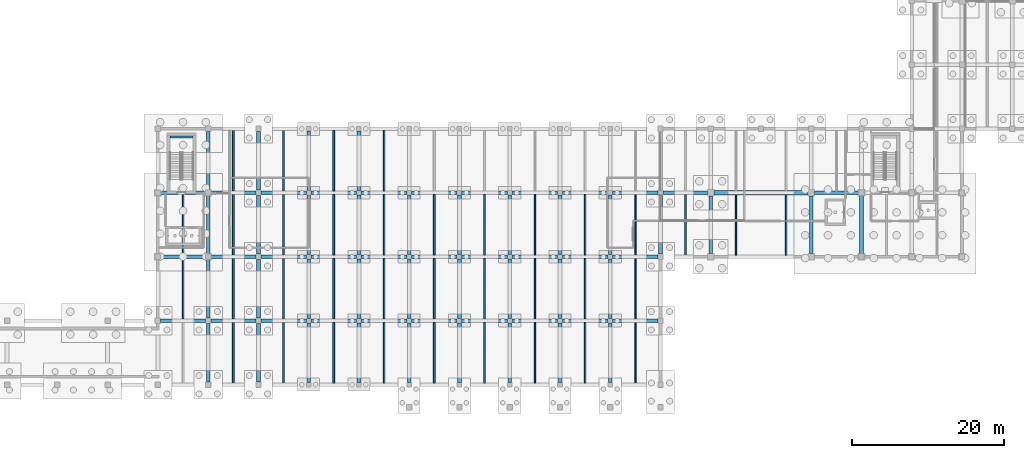
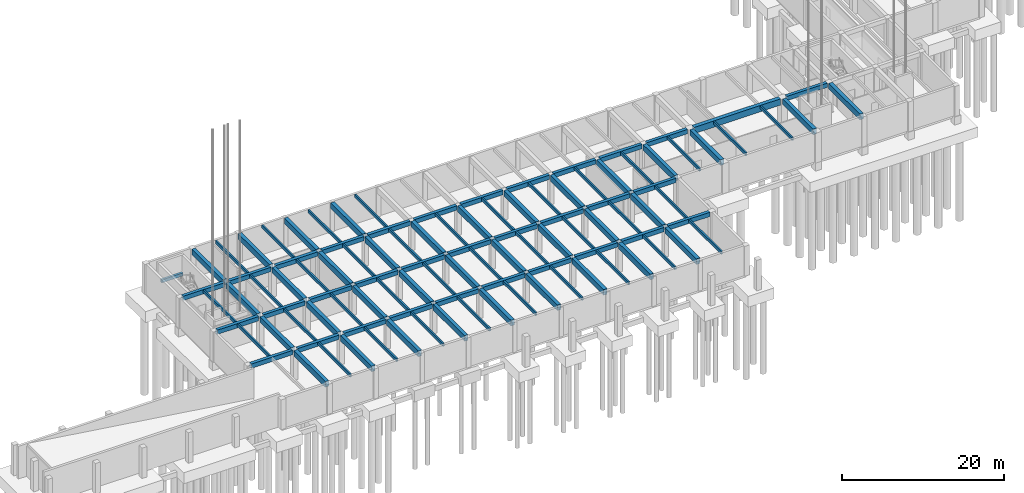
# One storey, part 6 of 44: 105 beams.
"""IFC4 building model written with IfcOpenShell, lengths in metres."""

from ifc_helpers import new_model, si_unit, direction, frame, origin, origin_2d, place, context, subcontext, project, spatial, rectangle, extrude, material, material_profile, profile_set, type_object, element, save


model = new_model("IFC4")

# Units and contexts
model_context = context("Model", 3, precision=1e-05, world=origin(), true_north=direction((0.0, 1.0)))
body_context = subcontext(model_context, "Body", "Model", "MODEL_VIEW")
ifc_project = project(units=[si_unit("LENGTHUNIT", "METRE"), si_unit("AREAUNIT", "SQUARE_METRE"), si_unit("VOLUMEUNIT", "CUBIC_METRE"), si_unit("PLANEANGLEUNIT", "RADIAN"), si_unit("MASSUNIT", "GRAM", prefix="KILO")], contexts=[model_context])

# Site, building, storey
site_placement = place(None, origin())
site = spatial("IfcSite", under=ifc_project, at=site_placement, CompositionType="ELEMENT")
building_placement = place(site_placement, origin())
building = spatial("IfcBuilding", under=site, at=building_placement, Name="Kolvaren Faculty of Natural Sciences", CompositionType="ELEMENT")
storey_placement = place(building_placement, frame((0.0, 0.0, -4.5)))
storey = spatial("IfcBuildingStorey", under=building, at=storey_placement, Name="B01", CompositionType="ELEMENT", Elevation=-4.5)

# Beams
ifc_material_1 = material(Name="Concrete C40/50", Category="concrete")
ifc_material_profile_1 = material_profile(ifc_material_1, rectangle(XDim=0.300048828125, YDim=0.449951171875, at=origin_2d()), Name="RC LNT 300x450")
ifc_profile_set_1 = profile_set([ifc_material_profile_1], Name="Concrete C40/50")
beam_type_1 = type_object("IfcBeamType", Name="CoreCouplingLintel_300x450", PredefinedType="LINTEL", material=ifc_profile_set_1)
beam_1_placement = place(storey_placement, frame((34.77490234375, 41.1298828125, 1.824951171875), z_axis=(1.0, 0.0, 0.0), x_axis=(0.0, 1.0, 0.0)))
element("IfcBeam", 1, at=beam_1_placement, inside=storey, type_object=beam_type_1, Name="B01 ST-4 half-landing support lintel", PredefinedType="LINTEL", context=body_context, shape_type="SweptSolid", body=[
    extrude(rectangle(XDim=0.300048828125, YDim=0.449951171875, at=origin_2d()), origin(), (0.0, 0.0, 1.0), 3.050048828125),
])
ifc_material_2 = material(Name="Concrete C35/45", Category="concrete")
ifc_material_profile_2 = material_profile(ifc_material_2, rectangle(XDim=0.449951171875, YDim=0.64990234375, at=origin_2d()), Name="RC BM 450x650")
ifc_profile_set_2 = profile_set([ifc_material_profile_2], Name="Concrete C35/45")
beam_type_2 = type_object("IfcBeamType", Name="GridBeam_450x650", PredefinedType="BEAM", material=ifc_profile_set_2)
beam_2_placement = place(storey_placement, frame((33.550048828125, 17.0, 4.175048828125), z_axis=(1.0, 0.0, 0.0), x_axis=(0.0, 1.0, 0.0)))
element("IfcBeam", 2, at=beam_2_placement, inside=storey, type_object=beam_type_2, Name="B01 beam BM-65 on grid C", PredefinedType="BEAM", context=body_context, shape_type="SweptSolid", body=[
    extrude(rectangle(XDim=0.449951171875, YDim=0.64990234375, at=origin_2d()), origin(), (0.0, 0.0, 1.0), 5.89990234375),
])
beam_3_placement = place(storey_placement, frame((40.14990234375, 17.0, 4.175048828125), z_axis=(1.0, 0.0, 0.0), x_axis=(0.0, 1.0, 0.0)))
element("IfcBeam", 3, at=beam_3_placement, inside=storey, type_object=beam_type_2, Name="B01 beam BM-65 on grid C", PredefinedType="BEAM", context=body_context, shape_type="SweptSolid", body=[
    extrude(rectangle(XDim=0.449951171875, YDim=0.64990234375, at=origin_2d()), origin(), (0.0, 0.0, 1.0), 5.900146484375),
])
beam_4_placement = place(storey_placement, frame((46.75, 17.0, 4.175048828125), z_axis=(1.0, 0.0, 0.0), x_axis=(0.0, 1.0, 0.0)))
element("IfcBeam", 4, at=beam_4_placement, inside=storey, type_object=beam_type_2, Name="B01 beam BM-65 on grid C", PredefinedType="BEAM", context=body_context, shape_type="SweptSolid", body=[
    extrude(rectangle(XDim=0.449951171875, YDim=0.64990234375, at=origin_2d()), origin(), (0.0, 0.0, 1.0), 5.949951171875),
])
for number, where, z_axis, x_axis, name in (
    (5, (53.300048828125, 17.0, 4.175048828125), (1.0, 0.0, 0.0), (0.0, 1.0, 0.0), "B01 beam BM-65 on grid C"),
    (6, (59.89990234375, 17.0, 4.175048828125), (1.0, 0.0, 0.0), (0.0, 1.0, 0.0), "B01 beam BM-65 on grid C"),
    (7, (66.5, 17.0, 4.175048828125), (1.0, 0.0, 0.0), (0.0, 1.0, 0.0), "B01 beam BM-65 on grid C"),
    (8, (73.10009765625, 17.0, 4.175048828125), (1.0, 0.0, 0.0), (0.0, 1.0, 0.0), "B01 beam BM-65 on grid C"),
    (9, (79.699951171875, 17.0, 4.175048828125), (1.0, 0.0, 0.0), (0.0, 1.0, 0.0), "B01 beam BM-65 on grid C"),
    (10, (86.300048828125, 17.0, 4.175048828125), (1.0, 0.0, 0.0), (0.0, 1.0, 0.0), "B01 beam BM-65 on grid C"),
):
    element("IfcBeam", number, at=place(storey_placement, frame(where, z_axis=z_axis, x_axis=x_axis)), inside=storey, type_object=beam_type_2, Name=name, PredefinedType="BEAM", context=body_context, shape_type="SweptSolid", body=[
        extrude(rectangle(XDim=0.449951171875, YDim=0.64990234375, at=origin_2d()), origin(), (0.0, 0.0, 1.0), 6.0),
    ])
beam_5_placement = place(storey_placement, frame((92.89990234375, 17.0, 4.175048828125), z_axis=(1.0, 0.0, 0.0), x_axis=(0.0, 1.0, 0.0)))
element("IfcBeam", 11, at=beam_5_placement, inside=storey, type_object=beam_type_2, Name="B01 beam BM-65 on grid C", PredefinedType="BEAM", context=body_context, shape_type="SweptSolid", body=[
    extrude(rectangle(XDim=0.449951171875, YDim=0.64990234375, at=origin_2d()), origin(), (0.0, 0.0, 1.0), 5.9501953125),
])
beam_6_placement = place(storey_placement, frame((33.550048828125, 25.39990234375, 4.175048828125), z_axis=(1.0, 0.0, 0.0), x_axis=(0.0, 1.0, 0.0)))
element("IfcBeam", 12, at=beam_6_placement, inside=storey, type_object=beam_type_2, Name="B01 beam BM-65 on grid D", PredefinedType="BEAM", context=body_context, shape_type="SweptSolid", body=[
    extrude(rectangle(XDim=0.449951171875, YDim=0.64990234375, at=origin_2d()), origin(), (0.0, 0.0, 1.0), 5.89990234375),
])
beam_7_placement = place(storey_placement, frame((40.14990234375, 25.39990234375, 4.175048828125), z_axis=(1.0, 0.0, 0.0), x_axis=(0.0, 1.0, 0.0)))
element("IfcBeam", 13, at=beam_7_placement, inside=storey, type_object=beam_type_2, Name="B01 beam BM-65 on grid D", PredefinedType="BEAM", context=body_context, shape_type="SweptSolid", body=[
    extrude(rectangle(XDim=0.449951171875, YDim=0.64990234375, at=origin_2d()), origin(), (0.0, 0.0, 1.0), 5.900146484375),
])
beam_8_placement = place(storey_placement, frame((46.75, 25.39990234375, 4.175048828125), z_axis=(1.0, 0.0, 0.0), x_axis=(0.0, 1.0, 0.0)))
element("IfcBeam", 14, at=beam_8_placement, inside=storey, type_object=beam_type_2, Name="B01 beam BM-65 on grid D", PredefinedType="BEAM", context=body_context, shape_type="SweptSolid", body=[
    extrude(rectangle(XDim=0.449951171875, YDim=0.64990234375, at=origin_2d()), origin(), (0.0, 0.0, 1.0), 5.949951171875),
])
for number, where, z_axis, x_axis, name in (
    (15, (53.300048828125, 25.39990234375, 4.175048828125), (1.0, 0.0, 0.0), (0.0, 1.0, 0.0), "B01 beam BM-65 on grid D"),
    (16, (59.89990234375, 25.39990234375, 4.175048828125), (1.0, 0.0, 0.0), (0.0, 1.0, 0.0), "B01 beam BM-65 on grid D"),
    (17, (66.5, 25.39990234375, 4.175048828125), (1.0, 0.0, 0.0), (0.0, 1.0, 0.0), "B01 beam BM-65 on grid D"),
    (18, (73.10009765625, 25.39990234375, 4.175048828125), (1.0, 0.0, 0.0), (0.0, 1.0, 0.0), "B01 beam BM-65 on grid D"),
    (19, (79.699951171875, 25.39990234375, 4.175048828125), (1.0, 0.0, 0.0), (0.0, 1.0, 0.0), "B01 beam BM-65 on grid D"),
    (20, (86.300048828125, 25.39990234375, 4.175048828125), (1.0, 0.0, 0.0), (0.0, 1.0, 0.0), "B01 beam BM-65 on grid D"),
):
    element("IfcBeam", number, at=place(storey_placement, frame(where, z_axis=z_axis, x_axis=x_axis)), inside=storey, type_object=beam_type_2, Name=name, PredefinedType="BEAM", context=body_context, shape_type="SweptSolid", body=[
        extrude(rectangle(XDim=0.449951171875, YDim=0.64990234375, at=origin_2d()), origin(), (0.0, 0.0, 1.0), 6.0),
    ])
beam_9_placement = place(storey_placement, frame((92.89990234375, 25.39990234375, 4.175048828125), z_axis=(1.0, 0.0, 0.0), x_axis=(0.0, 1.0, 0.0)))
element("IfcBeam", 21, at=beam_9_placement, inside=storey, type_object=beam_type_2, Name="B01 beam BM-65 on grid D", PredefinedType="BEAM", context=body_context, shape_type="SweptSolid", body=[
    extrude(rectangle(XDim=0.449951171875, YDim=0.64990234375, at=origin_2d()), origin(), (0.0, 0.0, 1.0), 5.9501953125),
])
beam_10_placement = place(storey_placement, frame((33.550048828125, 33.800048828125, 4.175048828125), z_axis=(1.0, 0.0, 0.0), x_axis=(0.0, 1.0, 0.0)))
element("IfcBeam", 22, at=beam_10_placement, inside=storey, type_object=beam_type_2, Name="B01 beam BM-65 on grid E", PredefinedType="BEAM", context=body_context, shape_type="SweptSolid", body=[
    extrude(rectangle(XDim=0.449951171875, YDim=0.64990234375, at=origin_2d()), origin(), (0.0, 0.0, 1.0), 5.89990234375),
])
beam_11_placement = place(storey_placement, frame((40.14990234375, 33.800048828125, 4.175048828125), z_axis=(1.0, 0.0, 0.0), x_axis=(0.0, 1.0, 0.0)))
element("IfcBeam", 23, at=beam_11_placement, inside=storey, type_object=beam_type_2, Name="B01 beam BM-65 on grid E", PredefinedType="BEAM", context=body_context, shape_type="SweptSolid", body=[
    extrude(rectangle(XDim=0.449951171875, YDim=0.64990234375, at=origin_2d()), origin(), (0.0, 0.0, 1.0), 5.900146484375),
])
beam_12_placement = place(storey_placement, frame((46.75, 33.800048828125, 4.175048828125), z_axis=(1.0, 0.0, 0.0), x_axis=(0.0, 1.0, 0.0)))
element("IfcBeam", 24, at=beam_12_placement, inside=storey, type_object=beam_type_2, Name="B01 beam BM-65 on grid E", PredefinedType="BEAM", context=body_context, shape_type="SweptSolid", body=[
    extrude(rectangle(XDim=0.449951171875, YDim=0.64990234375, at=origin_2d()), origin(), (0.0, 0.0, 1.0), 5.949951171875),
])
for number, where, z_axis, x_axis, name in (
    (25, (53.300048828125, 33.800048828125, 4.175048828125), (1.0, 0.0, 0.0), (0.0, 1.0, 0.0), "B01 beam BM-65 on grid E"),
    (26, (59.89990234375, 33.800048828125, 4.175048828125), (1.0, 0.0, 0.0), (0.0, 1.0, 0.0), "B01 beam BM-65 on grid E"),
    (27, (66.5, 33.800048828125, 4.175048828125), (1.0, 0.0, 0.0), (0.0, 1.0, 0.0), "B01 beam BM-65 on grid E"),
    (28, (73.10009765625, 33.800048828125, 4.175048828125), (1.0, 0.0, 0.0), (0.0, 1.0, 0.0), "B01 beam BM-65 on grid E"),
    (29, (79.699951171875, 33.800048828125, 4.175048828125), (1.0, 0.0, 0.0), (0.0, 1.0, 0.0), "B01 beam BM-65 on grid E"),
    (30, (86.300048828125, 33.800048828125, 4.175048828125), (1.0, 0.0, 0.0), (0.0, 1.0, 0.0), "B01 beam BM-65 on grid E"),
):
    element("IfcBeam", number, at=place(storey_placement, frame(where, z_axis=z_axis, x_axis=x_axis)), inside=storey, type_object=beam_type_2, Name=name, PredefinedType="BEAM", context=body_context, shape_type="SweptSolid", body=[
        extrude(rectangle(XDim=0.449951171875, YDim=0.64990234375, at=origin_2d()), origin(), (0.0, 0.0, 1.0), 6.0),
    ])
beam_13_placement = place(storey_placement, frame((92.89990234375, 33.800048828125, 4.175048828125), z_axis=(1.0, 0.0, 0.0), x_axis=(0.0, 1.0, 0.0)))
element("IfcBeam", 31, at=beam_13_placement, inside=storey, type_object=beam_type_2, Name="B01 beam BM-65 on grid E", PredefinedType="BEAM", context=body_context, shape_type="SweptSolid", body=[
    extrude(rectangle(XDim=0.449951171875, YDim=0.64990234375, at=origin_2d()), origin(), (0.0, 0.0, 1.0), 5.9501953125),
])
for number, where, z_axis, x_axis, name in (
    (32, (99.550048828125, 33.800048828125, 4.175048828125), (1.0, 0.0, 0.0), (0.0, 1.0, 0.0), "B01 beam BM-65 on grid E"),
    (33, (119.449951171875, 33.800048828125, 4.175048828125), (1.0, 0.0, 0.0), (0.0, 1.0, 0.0), "B01 beam BM-65 on grid E"),
):
    element("IfcBeam", number, at=place(storey_placement, frame(where, z_axis=z_axis, x_axis=x_axis)), inside=storey, type_object=beam_type_2, Name=name, PredefinedType="BEAM", context=body_context, shape_type="SweptSolid", body=[
        extrude(rectangle(XDim=0.449951171875, YDim=0.64990234375, at=origin_2d()), origin(), (0.0, 0.0, 1.0), 5.800048828125),
    ])
ifc_material_profile_3 = material_profile(ifc_material_1, rectangle(XDim=0.550048828125, YDim=0.949951171875, at=origin_2d()), Name="RC BM 550x950")
ifc_profile_set_3 = profile_set([ifc_material_profile_3], Name="Concrete C40/50")
beam_type_3 = type_object("IfcBeamType", Name="HallGirder_550x950", PredefinedType="BEAM", material=ifc_profile_set_3)
beam_14_placement = place(storey_placement, frame((106.25, 33.800048828125, 4.02490234375), z_axis=(1.0, 0.0, 0.0), x_axis=(0.0, 1.0, 0.0)))
element("IfcBeam", 34, at=beam_14_placement, inside=storey, type_object=beam_type_3, Name="B01 beam BG-95 on grid E", PredefinedType="BEAM", context=body_context, shape_type="SweptSolid", body=[
    extrude(rectangle(XDim=0.550048828125, YDim=0.949951171875, at=origin_2d()), origin(), (0.0, 0.0, 1.0), 12.300048828125),
])
ifc_material_profile_4 = material_profile(ifc_material_2, rectangle(XDim=0.219970703125, YDim=0.449951171875, at=origin_2d()), Name="RC JST 220x450")
ifc_profile_set_4 = profile_set([ifc_material_profile_4], Name="Concrete C35/45")
beam_type_4 = type_object("IfcBeamType", Name="OfficeRibJoist_220x450", PredefinedType="JOIST", material=ifc_profile_set_4)
for number, where, z_axis, x_axis, name in (
    (35, (36.5, 17.22509765625, 4.27490234375), (0.0, 1.0, 0.0), (-1.0, 0.0, 0.0), "B01 ribbed laboratory slab joist JS-45"),
    (36, (36.5, 25.625, 4.27490234375), (0.0, 1.0, 0.0), (-1.0, 0.0, 0.0), "B01 ribbed laboratory slab joist JS-45"),
):
    element("IfcBeam", number, at=place(storey_placement, frame(where, z_axis=z_axis, x_axis=x_axis)), inside=storey, type_object=beam_type_4, Name=name, PredefinedType="JOIST", context=body_context, shape_type="SweptSolid", body=[
        extrude(rectangle(XDim=0.219970703125, YDim=0.449951171875, at=origin_2d()), origin(), (0.0, 0.0, 1.0), 7.949951171875),
    ])
beam_15_placement = place(storey_placement, frame((43.10009765625, 8.77490234375, 4.27490234375), z_axis=(0.0, 1.0, 0.0), x_axis=(-1.0, 0.0, 0.0)))
element("IfcBeam", 37, at=beam_15_placement, inside=storey, type_object=beam_type_4, Name="B01 ribbed laboratory slab joist JS-45", PredefinedType="JOIST", context=body_context, shape_type="SweptSolid", body=[
    extrude(rectangle(XDim=0.219970703125, YDim=0.449951171875, at=origin_2d()), origin(), (0.0, 0.0, 1.0), 8.0),
])
for number, where, z_axis, x_axis, name in (
    (38, (43.10009765625, 17.22509765625, 4.27490234375), (0.0, 1.0, 0.0), (-1.0, 0.0, 0.0), "B01 ribbed laboratory slab joist JS-45"),
    (39, (43.10009765625, 25.625, 4.27490234375), (0.0, 1.0, 0.0), (-1.0, 0.0, 0.0), "B01 ribbed laboratory slab joist JS-45"),
):
    element("IfcBeam", number, at=place(storey_placement, frame(where, z_axis=z_axis, x_axis=x_axis)), inside=storey, type_object=beam_type_4, Name=name, PredefinedType="JOIST", context=body_context, shape_type="SweptSolid", body=[
        extrude(rectangle(XDim=0.219970703125, YDim=0.449951171875, at=origin_2d()), origin(), (0.0, 0.0, 1.0), 7.949951171875),
    ])
for number, where, z_axis, x_axis, name in (
    (40, (43.10009765625, 34.02490234375, 4.27490234375), (0.0, 1.0, 0.0), (-1.0, 0.0, 0.0), "B01 ribbed laboratory slab joist JS-45"),
    (41, (49.699951171875, 8.77490234375, 4.27490234375), (0.0, 1.0, 0.0), (-1.0, 0.0, 0.0), "B01 ribbed laboratory slab joist JS-45"),
):
    element("IfcBeam", number, at=place(storey_placement, frame(where, z_axis=z_axis, x_axis=x_axis)), inside=storey, type_object=beam_type_4, Name=name, PredefinedType="JOIST", context=body_context, shape_type="SweptSolid", body=[
        extrude(rectangle(XDim=0.219970703125, YDim=0.449951171875, at=origin_2d()), origin(), (0.0, 0.0, 1.0), 8.0),
    ])
for number, where, z_axis, x_axis, name in (
    (42, (49.699951171875, 17.22509765625, 4.27490234375), (0.0, 1.0, 0.0), (-1.0, 0.0, 0.0), "B01 ribbed laboratory slab joist JS-45"),
    (43, (49.699951171875, 25.625, 4.27490234375), (0.0, 1.0, 0.0), (-1.0, 0.0, 0.0), "B01 ribbed laboratory slab joist JS-45"),
):
    element("IfcBeam", number, at=place(storey_placement, frame(where, z_axis=z_axis, x_axis=x_axis)), inside=storey, type_object=beam_type_4, Name=name, PredefinedType="JOIST", context=body_context, shape_type="SweptSolid", body=[
        extrude(rectangle(XDim=0.219970703125, YDim=0.449951171875, at=origin_2d()), origin(), (0.0, 0.0, 1.0), 7.949951171875),
    ])
for number, where, z_axis, x_axis, name in (
    (44, (49.699951171875, 34.02490234375, 4.27490234375), (0.0, 1.0, 0.0), (-1.0, 0.0, 0.0), "B01 ribbed laboratory slab joist JS-45"),
    (45, (56.300048828125, 8.77490234375, 4.27490234375), (0.0, 1.0, 0.0), (-1.0, 0.0, 0.0), "B01 ribbed laboratory slab joist JS-45"),
):
    element("IfcBeam", number, at=place(storey_placement, frame(where, z_axis=z_axis, x_axis=x_axis)), inside=storey, type_object=beam_type_4, Name=name, PredefinedType="JOIST", context=body_context, shape_type="SweptSolid", body=[
        extrude(rectangle(XDim=0.219970703125, YDim=0.449951171875, at=origin_2d()), origin(), (0.0, 0.0, 1.0), 8.0),
    ])
for number, where, z_axis, x_axis, name in (
    (46, (56.300048828125, 17.22509765625, 4.27490234375), (0.0, 1.0, 0.0), (-1.0, 0.0, 0.0), "B01 ribbed laboratory slab joist JS-45"),
    (47, (56.300048828125, 25.625, 4.27490234375), (0.0, 1.0, 0.0), (-1.0, 0.0, 0.0), "B01 ribbed laboratory slab joist JS-45"),
):
    element("IfcBeam", number, at=place(storey_placement, frame(where, z_axis=z_axis, x_axis=x_axis)), inside=storey, type_object=beam_type_4, Name=name, PredefinedType="JOIST", context=body_context, shape_type="SweptSolid", body=[
        extrude(rectangle(XDim=0.219970703125, YDim=0.449951171875, at=origin_2d()), origin(), (0.0, 0.0, 1.0), 7.949951171875),
    ])
for number, where, z_axis, x_axis, name in (
    (48, (56.300048828125, 34.02490234375, 4.27490234375), (0.0, 1.0, 0.0), (-1.0, 0.0, 0.0), "B01 ribbed laboratory slab joist JS-45"),
    (49, (62.89990234375, 8.77490234375, 4.27490234375), (0.0, 1.0, 0.0), (-1.0, 0.0, 0.0), "B01 ribbed laboratory slab joist JS-45"),
):
    element("IfcBeam", number, at=place(storey_placement, frame(where, z_axis=z_axis, x_axis=x_axis)), inside=storey, type_object=beam_type_4, Name=name, PredefinedType="JOIST", context=body_context, shape_type="SweptSolid", body=[
        extrude(rectangle(XDim=0.219970703125, YDim=0.449951171875, at=origin_2d()), origin(), (0.0, 0.0, 1.0), 8.0),
    ])
for number, where, z_axis, x_axis, name in (
    (50, (62.89990234375, 17.22509765625, 4.27490234375), (0.0, 1.0, 0.0), (-1.0, 0.0, 0.0), "B01 ribbed laboratory slab joist JS-45"),
    (51, (62.89990234375, 25.625, 4.27490234375), (0.0, 1.0, 0.0), (-1.0, 0.0, 0.0), "B01 ribbed laboratory slab joist JS-45"),
):
    element("IfcBeam", number, at=place(storey_placement, frame(where, z_axis=z_axis, x_axis=x_axis)), inside=storey, type_object=beam_type_4, Name=name, PredefinedType="JOIST", context=body_context, shape_type="SweptSolid", body=[
        extrude(rectangle(XDim=0.219970703125, YDim=0.449951171875, at=origin_2d()), origin(), (0.0, 0.0, 1.0), 7.949951171875),
    ])
for number, where, z_axis, x_axis, name in (
    (52, (62.89990234375, 34.02490234375, 4.27490234375), (0.0, 1.0, 0.0), (-1.0, 0.0, 0.0), "B01 ribbed laboratory slab joist JS-45"),
    (53, (69.5, 8.77490234375, 4.27490234375), (0.0, 1.0, 0.0), (-1.0, 0.0, 0.0), "B01 ribbed laboratory slab joist JS-45"),
):
    element("IfcBeam", number, at=place(storey_placement, frame(where, z_axis=z_axis, x_axis=x_axis)), inside=storey, type_object=beam_type_4, Name=name, PredefinedType="JOIST", context=body_context, shape_type="SweptSolid", body=[
        extrude(rectangle(XDim=0.219970703125, YDim=0.449951171875, at=origin_2d()), origin(), (0.0, 0.0, 1.0), 8.0),
    ])
for number, where, z_axis, x_axis, name in (
    (54, (69.5, 17.22509765625, 4.27490234375), (0.0, 1.0, 0.0), (-1.0, 0.0, 0.0), "B01 ribbed laboratory slab joist JS-45"),
    (55, (69.5, 25.625, 4.27490234375), (0.0, 1.0, 0.0), (-1.0, 0.0, 0.0), "B01 ribbed laboratory slab joist JS-45"),
):
    element("IfcBeam", number, at=place(storey_placement, frame(where, z_axis=z_axis, x_axis=x_axis)), inside=storey, type_object=beam_type_4, Name=name, PredefinedType="JOIST", context=body_context, shape_type="SweptSolid", body=[
        extrude(rectangle(XDim=0.219970703125, YDim=0.449951171875, at=origin_2d()), origin(), (0.0, 0.0, 1.0), 7.949951171875),
    ])
beam_16_placement = place(storey_placement, frame((76.10009765625, 8.77490234375, 4.27490234375), z_axis=(0.0, 1.0, 0.0), x_axis=(-1.0, 0.0, 0.0)))
element("IfcBeam", 56, at=beam_16_placement, inside=storey, type_object=beam_type_4, Name="B01 ribbed laboratory slab joist JS-45", PredefinedType="JOIST", context=body_context, shape_type="SweptSolid", body=[
    extrude(rectangle(XDim=0.219970703125, YDim=0.449951171875, at=origin_2d()), origin(), (0.0, 0.0, 1.0), 8.0),
])
for number, where, z_axis, x_axis, name in (
    (57, (76.10009765625, 17.22509765625, 4.27490234375), (0.0, 1.0, 0.0), (-1.0, 0.0, 0.0), "B01 ribbed laboratory slab joist JS-45"),
    (58, (76.10009765625, 25.625, 4.27490234375), (0.0, 1.0, 0.0), (-1.0, 0.0, 0.0), "B01 ribbed laboratory slab joist JS-45"),
):
    element("IfcBeam", number, at=place(storey_placement, frame(where, z_axis=z_axis, x_axis=x_axis)), inside=storey, type_object=beam_type_4, Name=name, PredefinedType="JOIST", context=body_context, shape_type="SweptSolid", body=[
        extrude(rectangle(XDim=0.219970703125, YDim=0.449951171875, at=origin_2d()), origin(), (0.0, 0.0, 1.0), 7.949951171875),
    ])
beam_17_placement = place(storey_placement, frame((82.699951171875, 8.77490234375, 4.27490234375), z_axis=(0.0, 1.0, 0.0), x_axis=(-1.0, 0.0, 0.0)))
element("IfcBeam", 59, at=beam_17_placement, inside=storey, type_object=beam_type_4, Name="B01 ribbed laboratory slab joist JS-45", PredefinedType="JOIST", context=body_context, shape_type="SweptSolid", body=[
    extrude(rectangle(XDim=0.219970703125, YDim=0.449951171875, at=origin_2d()), origin(), (0.0, 0.0, 1.0), 8.0),
])
for number, where, z_axis, x_axis, name in (
    (60, (82.699951171875, 17.22509765625, 4.27490234375), (0.0, 1.0, 0.0), (-1.0, 0.0, 0.0), "B01 ribbed laboratory slab joist JS-45"),
    (61, (82.699951171875, 25.625, 4.27490234375), (0.0, 1.0, 0.0), (-1.0, 0.0, 0.0), "B01 ribbed laboratory slab joist JS-45"),
):
    element("IfcBeam", number, at=place(storey_placement, frame(where, z_axis=z_axis, x_axis=x_axis)), inside=storey, type_object=beam_type_4, Name=name, PredefinedType="JOIST", context=body_context, shape_type="SweptSolid", body=[
        extrude(rectangle(XDim=0.219970703125, YDim=0.449951171875, at=origin_2d()), origin(), (0.0, 0.0, 1.0), 7.949951171875),
    ])
beam_18_placement = place(storey_placement, frame((89.300048828125, 8.77490234375, 4.27490234375), z_axis=(0.0, 1.0, 0.0), x_axis=(-1.0, 0.0, 0.0)))
element("IfcBeam", 62, at=beam_18_placement, inside=storey, type_object=beam_type_4, Name="B01 ribbed laboratory slab joist JS-45", PredefinedType="JOIST", context=body_context, shape_type="SweptSolid", body=[
    extrude(rectangle(XDim=0.219970703125, YDim=0.449951171875, at=origin_2d()), origin(), (0.0, 0.0, 1.0), 8.0),
])
for number, where, z_axis, x_axis, name in (
    (63, (89.300048828125, 17.22509765625, 4.27490234375), (0.0, 1.0, 0.0), (-1.0, 0.0, 0.0), "B01 ribbed laboratory slab joist JS-45"),
    (64, (89.300048828125, 25.625, 4.27490234375), (0.0, 1.0, 0.0), (-1.0, 0.0, 0.0), "B01 ribbed laboratory slab joist JS-45"),
):
    element("IfcBeam", number, at=place(storey_placement, frame(where, z_axis=z_axis, x_axis=x_axis)), inside=storey, type_object=beam_type_4, Name=name, PredefinedType="JOIST", context=body_context, shape_type="SweptSolid", body=[
        extrude(rectangle(XDim=0.219970703125, YDim=0.449951171875, at=origin_2d()), origin(), (0.0, 0.0, 1.0), 7.949951171875),
    ])
beam_19_placement = place(storey_placement, frame((95.89990234375, 8.77490234375, 4.27490234375), z_axis=(0.0, 1.0, 0.0), x_axis=(-1.0, 0.0, 0.0)))
element("IfcBeam", 65, at=beam_19_placement, inside=storey, type_object=beam_type_4, Name="B01 ribbed laboratory slab joist JS-45", PredefinedType="JOIST", context=body_context, shape_type="SweptSolid", body=[
    extrude(rectangle(XDim=0.219970703125, YDim=0.449951171875, at=origin_2d()), origin(), (0.0, 0.0, 1.0), 8.0),
])
for number, where, z_axis, x_axis, name in (
    (66, (95.89990234375, 17.22509765625, 4.27490234375), (0.0, 1.0, 0.0), (-1.0, 0.0, 0.0), "B01 ribbed laboratory slab joist JS-45"),
    (67, (95.89990234375, 25.625, 4.27490234375), (0.0, 1.0, 0.0), (-1.0, 0.0, 0.0), "B01 ribbed laboratory slab joist JS-45"),
):
    element("IfcBeam", number, at=place(storey_placement, frame(where, z_axis=z_axis, x_axis=x_axis)), inside=storey, type_object=beam_type_4, Name=name, PredefinedType="JOIST", context=body_context, shape_type="SweptSolid", body=[
        extrude(rectangle(XDim=0.219970703125, YDim=0.449951171875, at=origin_2d()), origin(), (0.0, 0.0, 1.0), 7.949951171875),
    ])
beam_20_placement = place(storey_placement, frame((102.5, 25.574951171875, 4.27490234375), z_axis=(0.0, 1.0, 0.0), x_axis=(-1.0, 0.0, 0.0)))
element("IfcBeam", 68, at=beam_20_placement, inside=storey, type_object=beam_type_4, Name="B01 ribbed laboratory slab joist JS-45", PredefinedType="JOIST", context=body_context, shape_type="SweptSolid", body=[
    extrude(rectangle(XDim=0.219970703125, YDim=0.449951171875, at=origin_2d()), origin(), (0.0, 0.0, 1.0), 8.0),
])
for number, where, z_axis, x_axis, name in (
    (69, (109.10009765625, 25.574951171875, 4.27490234375), (0.0, 1.0, 0.0), (-1.0, 0.0, 0.0), "B01 ribbed laboratory slab joist JS-45"),
    (70, (115.699951171875, 25.574951171875, 4.27490234375), (0.0, 1.0, 0.0), (-1.0, 0.0, 0.0), "B01 ribbed laboratory slab joist JS-45"),
):
    element("IfcBeam", number, at=place(storey_placement, frame(where, z_axis=z_axis, x_axis=x_axis)), inside=storey, type_object=beam_type_4, Name=name, PredefinedType="JOIST", context=body_context, shape_type="SweptSolid", body=[
        extrude(rectangle(XDim=0.219970703125, YDim=0.449951171875, at=origin_2d()), origin(), (0.0, 0.0, 1.0), 7.949951171875),
    ])
ifc_material_profile_5 = material_profile(ifc_material_2, rectangle(XDim=0.5, YDim=0.85009765625, at=origin_2d()), Name="RC BM 500x850")
ifc_profile_set_5 = profile_set([ifc_material_profile_5], Name="Concrete C35/45")
beam_type_5 = type_object("IfcBeamType", Name="PrimaryGirder_500x850", PredefinedType="BEAM", material=ifc_profile_set_5)
for number, where, z_axis, x_axis, name in (
    (71, (39.800048828125, 8.949951171875, 4.074951171875), (0.0, 1.0, 0.0), (-1.0, 0.0, 0.0), "B01 girder BG-85 on grid 7"),
    (72, (39.800048828125, 17.35009765625, 4.074951171875), (0.0, 1.0, 0.0), (-1.0, 0.0, 0.0), "B01 girder BG-85 on grid 7"),
    (73, (39.800048828125, 25.75, 4.074951171875), (0.0, 1.0, 0.0), (-1.0, 0.0, 0.0), "B01 girder BG-85 on grid 7"),
):
    element("IfcBeam", number, at=place(storey_placement, frame(where, z_axis=z_axis, x_axis=x_axis)), inside=storey, type_object=beam_type_5, Name=name, PredefinedType="BEAM", context=body_context, shape_type="SweptSolid", body=[
        extrude(rectangle(XDim=0.5, YDim=0.85009765625, at=origin_2d()), origin(), (0.0, 0.0, 1.0), 7.699951171875),
    ])
beam_21_placement = place(storey_placement, frame((39.800048828125, 34.14990234375, 4.074951171875), z_axis=(0.0, 1.0, 0.0), x_axis=(-1.0, 0.0, 0.0)))
element("IfcBeam", 74, at=beam_21_placement, inside=storey, type_object=beam_type_5, Name="B01 girder BG-85 on grid 7", PredefinedType="BEAM", context=body_context, shape_type="SweptSolid", body=[
    extrude(rectangle(XDim=0.5, YDim=0.85009765625, at=origin_2d()), origin(), (0.0, 0.0, 1.0), 7.7001953125),
])
for number, where, z_axis, x_axis, name in (
    (75, (46.39990234375, 8.949951171875, 4.074951171875), (0.0, 1.0, 0.0), (-1.0, 0.0, 0.0), "B01 girder BG-85 on grid 8"),
    (76, (46.39990234375, 17.35009765625, 4.074951171875), (0.0, 1.0, 0.0), (-1.0, 0.0, 0.0), "B01 girder BG-85 on grid 8"),
    (77, (46.39990234375, 25.75, 4.074951171875), (0.0, 1.0, 0.0), (-1.0, 0.0, 0.0), "B01 girder BG-85 on grid 8"),
):
    element("IfcBeam", number, at=place(storey_placement, frame(where, z_axis=z_axis, x_axis=x_axis)), inside=storey, type_object=beam_type_5, Name=name, PredefinedType="BEAM", context=body_context, shape_type="SweptSolid", body=[
        extrude(rectangle(XDim=0.5, YDim=0.85009765625, at=origin_2d()), origin(), (0.0, 0.0, 1.0), 7.699951171875),
    ])
beam_22_placement = place(storey_placement, frame((46.39990234375, 34.14990234375, 4.074951171875), z_axis=(0.0, 1.0, 0.0), x_axis=(-1.0, 0.0, 0.0)))
element("IfcBeam", 78, at=beam_22_placement, inside=storey, type_object=beam_type_5, Name="B01 girder BG-85 on grid 8", PredefinedType="BEAM", context=body_context, shape_type="SweptSolid", body=[
    extrude(rectangle(XDim=0.5, YDim=0.85009765625, at=origin_2d()), origin(), (0.0, 0.0, 1.0), 7.7001953125),
])
for number, where, z_axis, x_axis, name in (
    (79, (53.0, 8.89990234375, 4.074951171875), (0.0, 1.0, 0.0), (-1.0, 0.0, 0.0), "B01 girder BG-85 on grid 9"),
    (80, (53.0, 17.300048828125, 4.074951171875), (0.0, 1.0, 0.0), (-1.0, 0.0, 0.0), "B01 girder BG-85 on grid 9"),
    (81, (53.0, 25.699951171875, 4.074951171875), (0.0, 1.0, 0.0), (-1.0, 0.0, 0.0), "B01 girder BG-85 on grid 9"),
):
    element("IfcBeam", number, at=place(storey_placement, frame(where, z_axis=z_axis, x_axis=x_axis)), inside=storey, type_object=beam_type_5, Name=name, PredefinedType="BEAM", context=body_context, shape_type="SweptSolid", body=[
        extrude(rectangle(XDim=0.5, YDim=0.85009765625, at=origin_2d()), origin(), (0.0, 0.0, 1.0), 7.800048828125),
    ])
beam_23_placement = place(storey_placement, frame((53.0, 34.10009765625, 4.074951171875), z_axis=(0.0, 1.0, 0.0), x_axis=(-1.0, 0.0, 0.0)))
element("IfcBeam", 82, at=beam_23_placement, inside=storey, type_object=beam_type_5, Name="B01 girder BG-85 on grid 9", PredefinedType="BEAM", context=body_context, shape_type="SweptSolid", body=[
    extrude(rectangle(XDim=0.5, YDim=0.85009765625, at=origin_2d()), origin(), (0.0, 0.0, 1.0), 7.7998046875),
])
for number, where, z_axis, x_axis, name in (
    (83, (59.60009765625, 8.89990234375, 4.074951171875), (0.0, 1.0, 0.0), (-1.0, 0.0, 0.0), "B01 girder BG-85 on grid 10"),
    (84, (59.60009765625, 17.300048828125, 4.074951171875), (0.0, 1.0, 0.0), (-1.0, 0.0, 0.0), "B01 girder BG-85 on grid 10"),
    (85, (59.60009765625, 25.699951171875, 4.074951171875), (0.0, 1.0, 0.0), (-1.0, 0.0, 0.0), "B01 girder BG-85 on grid 10"),
):
    element("IfcBeam", number, at=place(storey_placement, frame(where, z_axis=z_axis, x_axis=x_axis)), inside=storey, type_object=beam_type_5, Name=name, PredefinedType="BEAM", context=body_context, shape_type="SweptSolid", body=[
        extrude(rectangle(XDim=0.5, YDim=0.85009765625, at=origin_2d()), origin(), (0.0, 0.0, 1.0), 7.800048828125),
    ])
beam_24_placement = place(storey_placement, frame((59.60009765625, 34.10009765625, 4.074951171875), z_axis=(0.0, 1.0, 0.0), x_axis=(-1.0, 0.0, 0.0)))
element("IfcBeam", 86, at=beam_24_placement, inside=storey, type_object=beam_type_5, Name="B01 girder BG-85 on grid 10", PredefinedType="BEAM", context=body_context, shape_type="SweptSolid", body=[
    extrude(rectangle(XDim=0.5, YDim=0.85009765625, at=origin_2d()), origin(), (0.0, 0.0, 1.0), 7.7998046875),
])
for number, where, z_axis, x_axis, name in (
    (87, (66.199951171875, 8.89990234375, 4.074951171875), (0.0, 1.0, 0.0), (-1.0, 0.0, 0.0), "B01 girder BG-85 on grid 11"),
    (88, (66.199951171875, 17.300048828125, 4.074951171875), (0.0, 1.0, 0.0), (-1.0, 0.0, 0.0), "B01 girder BG-85 on grid 11"),
    (89, (66.199951171875, 25.699951171875, 4.074951171875), (0.0, 1.0, 0.0), (-1.0, 0.0, 0.0), "B01 girder BG-85 on grid 11"),
    (90, (72.800048828125, 8.89990234375, 4.074951171875), (0.0, 1.0, 0.0), (-1.0, 0.0, 0.0), "B01 girder BG-85 on grid 12"),
    (91, (72.800048828125, 17.300048828125, 4.074951171875), (0.0, 1.0, 0.0), (-1.0, 0.0, 0.0), "B01 girder BG-85 on grid 12"),
    (92, (72.800048828125, 25.699951171875, 4.074951171875), (0.0, 1.0, 0.0), (-1.0, 0.0, 0.0), "B01 girder BG-85 on grid 12"),
    (93, (79.39990234375, 8.89990234375, 4.074951171875), (0.0, 1.0, 0.0), (-1.0, 0.0, 0.0), "B01 girder BG-85 on grid 13"),
    (94, (79.39990234375, 17.300048828125, 4.074951171875), (0.0, 1.0, 0.0), (-1.0, 0.0, 0.0), "B01 girder BG-85 on grid 13"),
    (95, (79.39990234375, 25.699951171875, 4.074951171875), (0.0, 1.0, 0.0), (-1.0, 0.0, 0.0), "B01 girder BG-85 on grid 13"),
    (96, (86.0, 8.89990234375, 4.074951171875), (0.0, 1.0, 0.0), (-1.0, 0.0, 0.0), "B01 girder BG-85 on grid 14"),
    (97, (86.0, 17.300048828125, 4.074951171875), (0.0, 1.0, 0.0), (-1.0, 0.0, 0.0), "B01 girder BG-85 on grid 14"),
    (98, (86.0, 25.699951171875, 4.074951171875), (0.0, 1.0, 0.0), (-1.0, 0.0, 0.0), "B01 girder BG-85 on grid 14"),
    (99, (92.60009765625, 8.89990234375, 4.074951171875), (0.0, 1.0, 0.0), (-1.0, 0.0, 0.0), "B01 girder BG-85 on grid 15"),
    (100, (92.60009765625, 17.300048828125, 4.074951171875), (0.0, 1.0, 0.0), (-1.0, 0.0, 0.0), "B01 girder BG-85 on grid 15"),
    (101, (92.60009765625, 25.699951171875, 4.074951171875), (0.0, 1.0, 0.0), (-1.0, 0.0, 0.0), "B01 girder BG-85 on grid 15"),
):
    element("IfcBeam", number, at=place(storey_placement, frame(where, z_axis=z_axis, x_axis=x_axis)), inside=storey, type_object=beam_type_5, Name=name, PredefinedType="BEAM", context=body_context, shape_type="SweptSolid", body=[
        extrude(rectangle(XDim=0.5, YDim=0.85009765625, at=origin_2d()), origin(), (0.0, 0.0, 1.0), 7.800048828125),
    ])
beam_25_placement = place(storey_placement, frame((99.199951171875, 25.75, 4.074951171875), z_axis=(0.0, 1.0, 0.0), x_axis=(-1.0, 0.0, 0.0)))
element("IfcBeam", 102, at=beam_25_placement, inside=storey, type_object=beam_type_5, Name="B01 girder BG-85 on grid 16", PredefinedType="BEAM", context=body_context, shape_type="SweptSolid", body=[
    extrude(rectangle(XDim=0.5, YDim=0.85009765625, at=origin_2d()), origin(), (0.0, 0.0, 1.0), 7.699951171875),
])
for number, where, z_axis, x_axis, name in (
    (103, (105.800048828125, 25.85009765625, 4.074951171875), (0.0, 1.0, 0.0), (-1.0, 0.0, 0.0), "B01 girder BG-85 on grid 17"),
    (104, (119.0, 25.85009765625, 4.074951171875), (0.0, 1.0, 0.0), (-1.0, 0.0, 0.0), "B01 girder BG-85 on grid 19"),
):
    element("IfcBeam", number, at=place(storey_placement, frame(where, z_axis=z_axis, x_axis=x_axis)), inside=storey, type_object=beam_type_5, Name=name, PredefinedType="BEAM", context=body_context, shape_type="SweptSolid", body=[
        extrude(rectangle(XDim=0.5, YDim=0.85009765625, at=origin_2d()), origin(), (0.0, 0.0, 1.0), 7.5),
    ])
beam_26_placement = place(storey_placement, frame((125.60009765625, 25.75, 4.074951171875), z_axis=(0.0, 1.0, 0.0), x_axis=(-1.0, 0.0, 0.0)))
element("IfcBeam", 105, at=beam_26_placement, inside=storey, type_object=beam_type_5, Name="B01 girder BG-85 on grid 20", PredefinedType="BEAM", context=body_context, shape_type="SweptSolid", body=[
    extrude(rectangle(XDim=0.5, YDim=0.85009765625, at=origin_2d()), origin(), (0.0, 0.0, 1.0), 7.699951171875),
])

save(model, "model.ifc")
